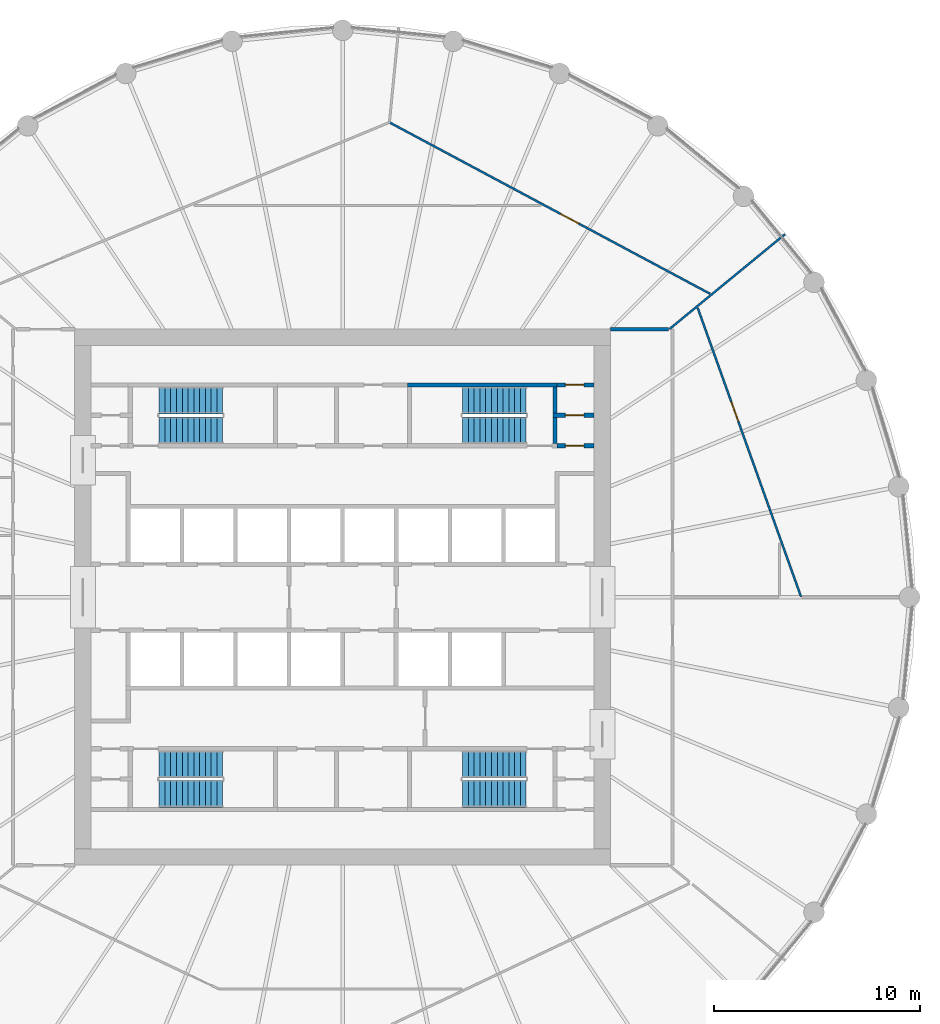
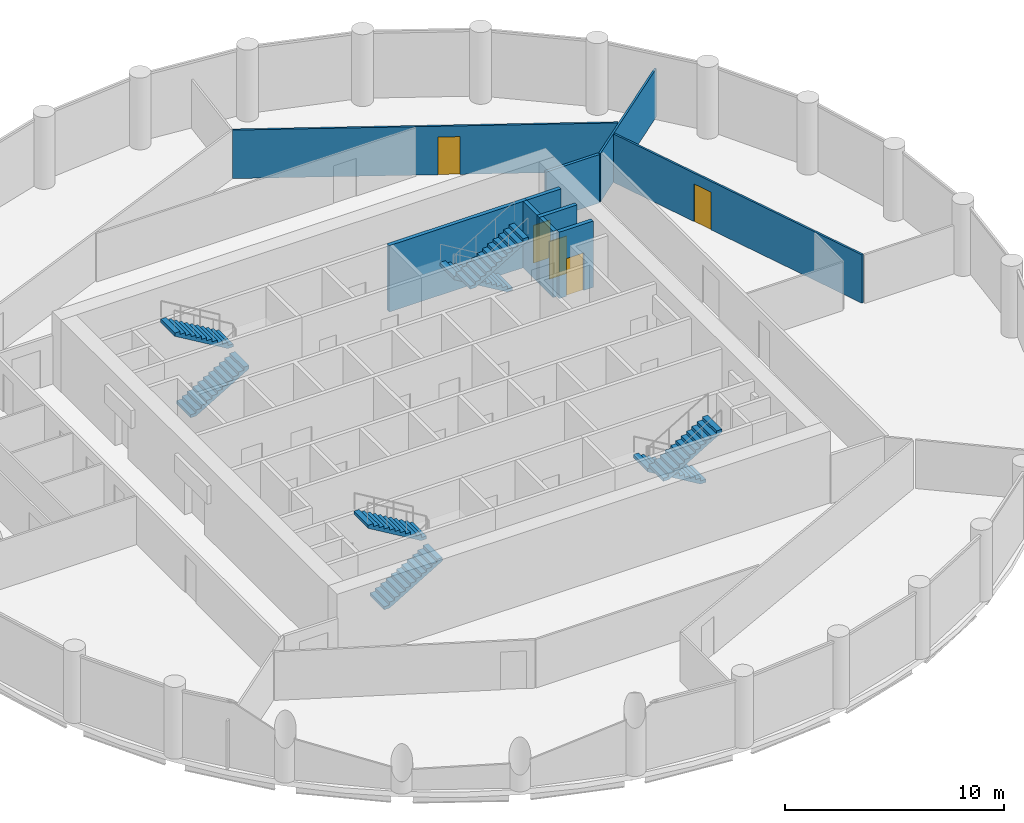
# One storey, part 7 of 8: 10 walls, 8 stair flights, 5 doors, 5 openings, 4 elements without a shape of their own.
"""IFC4 building model written with IfcOpenShell, lengths in metres."""

from ifc_helpers import new_model, si_unit, direction, frame, frame_2d, origin, place, context, subcontext, project, spatial, polyline, rectangle, outline, extrude, material, layer, layer_set, type_object, element, fill, aggregate, save


model = new_model("IFC4")

# Units and contexts
model_context = context("Model", 3, precision=1e-05, world=origin(), true_north=direction((0.0, 1.0)))
body_context = subcontext(model_context, "Body", "Model", "MODEL_VIEW")
ifc_project = project(units=[si_unit("LENGTHUNIT", "METRE"), si_unit("AREAUNIT", "SQUARE_METRE"), si_unit("VOLUMEUNIT", "CUBIC_METRE"), si_unit("PLANEANGLEUNIT", "RADIAN"), si_unit("MASSUNIT", "GRAM", prefix="KILO")], contexts=[model_context])

# Site, building, storey
site_placement = place(None, origin())
site = spatial("IfcSite", under=ifc_project, at=site_placement, CompositionType="ELEMENT")
building_placement = place(site_placement, origin())
building = spatial("IfcBuilding", under=site, at=building_placement, Name="Corvane Civic Tower", CompositionType="ELEMENT")
storey_placement = place(building_placement, frame((0.0, 0.0, 237.5)))
storey = spatial("IfcBuildingStorey", under=building, at=storey_placement, Name="L56", CompositionType="ELEMENT", Elevation=237.5)

# Wall, opening, door
ifc_material_1 = material(Name="Concrete C30/37", Category="concrete")
ifc_layer_1 = layer(ifc_material_1, 0.199951171875)
ifc_layer_set_1 = layer_set([ifc_layer_1], Name="Concrete C30/37")
wall_type_1 = type_object("IfcWallType", Name="CR-WALL-200", PredefinedType="PARTITIONING", material=ifc_layer_set_1)
wall_1_placement = place(storey_placement, frame((10.39990234375, 7.35009765625, 0.0), z_axis=(0.0, 0.0, 1.0), x_axis=(1.0, 0.0, 0.0)))
wall_1 = element("IfcWall", 1, at=wall_1_placement, inside=storey, type_object=wall_type_1, Name="L56 core partition wall", PredefinedType="PARTITIONING", context=body_context, shape_type="SweptSolid", body=[
    extrude(rectangle(XDim=1.800048828125, YDim=0.199951171875, at=frame_2d((0.89990234375, 0.0))), origin(), (0.0, 0.0, 1.0), 3.699951171875),
])
opening_1_placement = place(wall_1_placement, frame((0.39990234375, 0.0, 0.0)))
opening_1 = element("IfcOpeningElement", 2, at=opening_1_placement, cuts=wall_1, Name="Opening L56.C16", PredefinedType="OPENING", context=body_context, shape_type="SweptSolid", body=[
    extrude(rectangle(XDim=0.89990234375, YDim=2.10009765625, at=frame_2d((0.449951171875, 1.050048828125))), frame((0.0, 0.10986328125, 0.0), z_axis=(0.0, -1.0, 0.0), x_axis=(1.0, 0.0, 0.0)), (0.0, 0.0, 1.0), 0.219970703125),
])
ifc_material_2 = material(Name="Steel fire door leaf", Category="steel")
door_type_1 = type_object("IfcDoorType", Name="CR-DOOR-900", OperationType="SINGLE_SWING_LEFT", PredefinedType="DOOR", material=ifc_material_2)
door_1_placement = place(opening_1_placement, origin())
door_1 = element("IfcDoor", 3, at=door_1_placement, inside=storey, type_object=door_type_1, Name="L56 door", OperationType="SINGLE_SWING_LEFT", OverallHeight=2.10009765625, OverallWidth=0.89990234375, PredefinedType="DOOR", context=body_context, shape_type="SweptSolid", body=[
    extrude(rectangle(XDim=0.89990234375, YDim=2.10009765625, at=frame_2d((0.449951171875, 1.050048828125))), frame((0.0, 0.02490234375, 0.0), z_axis=(0.0, -1.0, 0.0), x_axis=(1.0, 0.0, 0.0)), (0.0, 0.0, 1.0), 0.050048828125),
])
fill(opening_1, door_1)

wall_2_placement = place(storey_placement, frame((10.199951171875, 8.824951171875, 0.0), z_axis=(0.0, 0.0, 1.0), x_axis=(1.0, 0.0, 0.0)))
wall_2 = element("IfcWall", 4, at=wall_2_placement, inside=storey, type_object=wall_type_1, Name="L56 partition wall", PredefinedType="PARTITIONING", context=body_context, shape_type="SweptSolid", body=[
    extrude(rectangle(XDim=2.0, YDim=0.199951171875, at=frame_2d((1.0, 0.0))), origin(), (0.0, 0.0, 1.0), 3.699951171875),
])
opening_2_placement = place(wall_2_placement, frame((0.60009765625, 0.0, 0.0)))
opening_2 = element("IfcOpeningElement", 5, at=opening_2_placement, cuts=wall_2, Name="Opening L56.C17", PredefinedType="OPENING", context=body_context, shape_type="SweptSolid", body=[
    extrude(rectangle(XDim=0.89990234375, YDim=2.10009765625, at=frame_2d((0.449951171875, 1.050048828125))), frame((0.0, 0.10986328125, 0.0), z_axis=(0.0, -1.0, 0.0), x_axis=(1.0, 0.0, 0.0)), (0.0, 0.0, 1.0), 0.219970703125),
])
door_2_placement = place(opening_2_placement, origin())
door_2 = element("IfcDoor", 6, at=door_2_placement, inside=storey, type_object=door_type_1, Name="L56 door", OperationType="SINGLE_SWING_LEFT", OverallHeight=2.10009765625, OverallWidth=0.89990234375, PredefinedType="DOOR", context=body_context, shape_type="SweptSolid", body=[
    extrude(rectangle(XDim=0.89990234375, YDim=2.10009765625, at=frame_2d((0.449951171875, 1.050048828125))), frame((0.0, 0.02490234375, 0.0), z_axis=(0.0, -1.0, 0.0), x_axis=(1.0, 0.0, 0.0)), (0.0, 0.0, 1.0), 0.050048828125),
])
fill(opening_2, door_2)

wall_3_placement = place(storey_placement, frame((10.39990234375, 10.300048828125, 0.0), z_axis=(0.0, 0.0, 1.0), x_axis=(1.0, 0.0, 0.0)))
wall_3 = element("IfcWall", 7, at=wall_3_placement, inside=storey, type_object=wall_type_1, Name="L56 partition wall", PredefinedType="PARTITIONING", context=body_context, shape_type="SweptSolid", body=[
    extrude(rectangle(XDim=1.800048828125, YDim=0.199951171875, at=frame_2d((0.89990234375, 0.0))), origin(), (0.0, 0.0, 1.0), 3.699951171875),
])
opening_3_placement = place(wall_3_placement, frame((0.39990234375, 0.0, 0.0)))
opening_3 = element("IfcOpeningElement", 8, at=opening_3_placement, cuts=wall_3, Name="Opening L56.C18", PredefinedType="OPENING", context=body_context, shape_type="SweptSolid", body=[
    extrude(rectangle(XDim=0.89990234375, YDim=2.10009765625, at=frame_2d((0.449951171875, 1.050048828125))), frame((0.0, 0.10986328125, 0.0), z_axis=(0.0, -1.0, 0.0), x_axis=(1.0, 0.0, 0.0)), (0.0, 0.0, 1.0), 0.219970703125),
])
door_3_placement = place(opening_3_placement, origin())
door_3 = element("IfcDoor", 9, at=door_3_placement, inside=storey, type_object=door_type_1, Name="L56 door", OperationType="SINGLE_SWING_LEFT", OverallHeight=2.10009765625, OverallWidth=0.89990234375, PredefinedType="DOOR", context=body_context, shape_type="SweptSolid", body=[
    extrude(rectangle(XDim=0.89990234375, YDim=2.10009765625, at=frame_2d((0.449951171875, 1.050048828125))), frame((0.0, 0.02490234375, 0.0), z_axis=(0.0, -1.0, 0.0), x_axis=(1.0, 0.0, 0.0)), (0.0, 0.0, 1.0), 0.050048828125),
])
fill(opening_3, door_3)

ifc_material_3 = material(Name="Plasterboard")
ifc_layer_2 = layer(ifc_material_3, 0.10009765625)
ifc_layer_set_2 = layer_set([ifc_layer_2], Name="Plasterboard")
wall_type_2 = type_object("IfcWallType", Name="Partition 100 plasterboard on studs", PredefinedType="PARTITIONING", material=ifc_layer_set_2)
wall_4_placement = place(storey_placement, frame((17.218505859375, 14.044189453125, 0.0), z_axis=(0.0, 0.0, 1.0), x_axis=(0.336888216566, -0.941544650847, 0.0)))
wall_4 = element("IfcWall", 10, at=wall_4_placement, inside=storey, type_object=wall_type_2, Name="Partition L56.016", PredefinedType="PARTITIONING", context=body_context, shape_type="SweptSolid", body=[
    extrude(rectangle(XDim=14.880859375, YDim=0.10009765625, at=frame_2d((7.4404296875, 0.0))), origin(), (0.0, 0.0, 1.0), 2.699951171875),
])
opening_4_placement = place(wall_4_placement, frame((4.838623046875, 0.0, 0.0)))
opening_4 = element("IfcOpeningElement", 11, at=opening_4_placement, cuts=wall_4, Name="Opening L56.008", PredefinedType="OPENING", context=body_context, shape_type="SweptSolid", body=[
    extrude(rectangle(XDim=1.0, YDim=2.10009765625, at=frame_2d((0.5, 1.050048828125))), frame((0.0, 0.06005859375, 0.0), z_axis=(0.0, -1.0, 0.0), x_axis=(1.0, 0.0, 0.0)), (0.0, 0.0, 1.0), 0.1201171875),
])
ifc_material_4 = material(Name="Timber", Category="wood")
door_type_2 = type_object("IfcDoorType", Name="Single door 1000", OperationType="NOTDEFINED", PredefinedType="DOOR", material=ifc_material_4)
door_4_placement = place(opening_4_placement, origin())
door_4 = element("IfcDoor", 12, at=door_4_placement, inside=storey, type_object=door_type_2, Name="Door L56.008", OperationType="SINGLE_SWING_LEFT", OverallHeight=2.10009765625, OverallWidth=1.0, PredefinedType="DOOR", context=body_context, shape_type="SweptSolid", body=[
    extrude(rectangle(XDim=1.0, YDim=2.10009765625, at=frame_2d((0.5, 1.050048828125))), frame((0.0, 0.02490234375, 0.0), z_axis=(0.0, -1.0, 0.0), x_axis=(1.0, 0.0, 0.0)), (0.0, 0.0, 1.0), 0.050048828125),
])
fill(opening_4, door_4)

# Wall
wall_5_placement = place(storey_placement, frame((15.8544921875, 13.01123046875, 0.0), z_axis=(0.0, 0.0, 1.0), x_axis=(0.772997895748, 0.634408585352, 0.0)))
element("IfcWall", 13, at=wall_5_placement, inside=storey, type_object=wall_type_2, Name="Partition L56.027", PredefinedType="PARTITIONING", context=body_context, shape_type="SweptSolid", body=[
    extrude(rectangle(XDim=7.240234375, YDim=0.10009765625, at=frame_2d((3.6201171875, 0.0))), origin(), (0.0, 0.0, 1.0), 2.699951171875),
])

# Wall, opening, door
wall_6_placement = place(storey_placement, frame((2.298095703125, 23.017333984375, 0.0), z_axis=(0.0, 0.0, 1.0), x_axis=(0.881923418912, -0.471392705899, 0.0)))
wall_6 = element("IfcWall", 14, at=wall_6_placement, inside=storey, type_object=wall_type_2, Name="Partition L56.029", PredefinedType="PARTITIONING", context=body_context, shape_type="SweptSolid", body=[
    extrude(rectangle(XDim=17.60595703125, YDim=0.10009765625, at=frame_2d((8.802978515625, 0.0))), origin(), (0.0, 0.0, 1.0), 2.699951171875),
])
opening_5_placement = place(wall_6_placement, frame((9.381591796875, 0.0, 0.0)))
opening_5 = element("IfcOpeningElement", 15, at=opening_5_placement, cuts=wall_6, Name="Opening L56.002", PredefinedType="OPENING", context=body_context, shape_type="SweptSolid", body=[
    extrude(rectangle(XDim=1.0, YDim=2.10009765625, at=frame_2d((0.5, 1.050048828125))), frame((0.0, 0.06005859375, 0.0), z_axis=(0.0, -1.0, 0.0), x_axis=(1.0, 0.0, 0.0)), (0.0, 0.0, 1.0), 0.1201171875),
])
door_5_placement = place(opening_5_placement, origin())
door_5 = element("IfcDoor", 16, at=door_5_placement, inside=storey, type_object=door_type_2, Name="Door L56.002", OperationType="SINGLE_SWING_LEFT", OverallHeight=2.10009765625, OverallWidth=1.0, PredefinedType="DOOR", context=body_context, shape_type="SweptSolid", body=[
    extrude(rectangle(XDim=1.0, YDim=2.10009765625, at=frame_2d((0.5, 1.050048828125))), frame((0.0, 0.02490234375, 0.0), z_axis=(0.0, -1.0, 0.0), x_axis=(1.0, 0.0, 0.0)), (0.0, 0.0, 1.0), 0.050048828125),
])
fill(opening_5, door_5)

# Walls
ifc_material_5 = material(Name="Concrete C50/60", Category="concrete")
ifc_layer_3 = layer(ifc_material_5, 0.199951171875)
ifc_layer_set_3 = layer_set([ifc_layer_3], Name="Concrete C50/60")
wall_type_3 = type_object("IfcWallType", Name="ST-WALL-200", PredefinedType="SHEAR", material=ifc_layer_set_3)
wall_7_placement = place(storey_placement, origin())
element("IfcWall", 17, at=wall_7_placement, inside=storey, type_object=wall_type_3, Name="L56 stair enclosure wall", PredefinedType="SHEAR", context=body_context, shape_type="SweptSolid", body=[
    extrude(outline(polyline([(10.39990234375, 10.199951171875), (3.14990234375, 10.199951171875), (3.14990234375, 10.39990234375), (10.39990234375, 10.39990234375), (10.39990234375, 10.199951171875)])), origin(), (0.0, 0.0, 1.0), 3.699951171875),
])
wall_8_placement = place(storey_placement, origin())
element("IfcWall", 18, at=wall_8_placement, inside=storey, type_object=wall_type_3, Name="L56 stair enclosure wall", PredefinedType="SHEAR", context=body_context, shape_type="SweptSolid", body=[
    extrude(outline(polyline([(10.39990234375, 8.72509765625), (10.39990234375, 7.449951171875), (10.199951171875, 7.449951171875), (10.199951171875, 8.72509765625), (10.39990234375, 8.72509765625)])), origin(), (0.0, 0.0, 1.0), 3.699951171875),
])
wall_9_placement = place(storey_placement, origin())
element("IfcWall", 19, at=wall_9_placement, inside=storey, type_object=wall_type_3, Name="L56 stair enclosure wall", PredefinedType="SHEAR", context=body_context, shape_type="SweptSolid", body=[
    extrude(outline(polyline([(10.39990234375, 8.925048828125), (10.199951171875, 8.925048828125), (10.199951171875, 10.199951171875), (10.39990234375, 10.199951171875), (10.39990234375, 8.925048828125)])), origin(), (0.0, 0.0, 1.0), 3.699951171875),
])
ifc_material_6 = material(Name="Plasterboard")
ifc_layer_4 = layer(ifc_material_6, 0.14990234375)
ifc_layer_set_4 = layer_set([ifc_layer_4], Name="Plasterboard")
wall_type_4 = type_object("IfcWallType", Name="Tenancy wall 150 EI 60", PredefinedType="PARTITIONING", material=ifc_layer_set_4)
wall_10_placement = place(storey_placement, frame((12.989990234375, 13.0, 0.0), z_axis=(0.0, 0.0, 1.0), x_axis=(1.0, 0.0, 0.0)))
element("IfcWall", 20, at=wall_10_placement, inside=storey, type_object=wall_type_4, Name="Partition L56.025", PredefinedType="PARTITIONING", context=body_context, shape_type="SweptSolid", body=[
    extrude(rectangle(XDim=2.82373046875, YDim=0.14990234375, at=frame_2d((1.411865234375, 0.0))), origin(), (0.0, 0.0, 1.0), 2.699951171875),
])

# Stair, stair flights
ifc_material_7 = material(Name="Concrete C40/50", Category="concrete")
stair_type = type_object("IfcStairType", Name="ST-STAIR-HALFTURN", PredefinedType="HALF_TURN_STAIR", material=ifc_material_7)
stair_1_placement = place(storey_placement, origin())
stair_1 = element("IfcStair", 21, at=stair_1_placement, inside=storey, type_object=stair_type, Name="L56 Exit stair ST1", PredefinedType="HALF_TURN_STAIR")
ifc_material_8 = material(Name="Concrete C40/50", Category="concrete")
stair_flight_type = type_object("IfcStairFlightType", Name="ST-FLIGHT-RC", PredefinedType="STRAIGHT", material=ifc_material_8)
stair_flight_1_placement = place(storey_placement, frame((8.89990234375, 9.550048828125, 0.0), z_axis=(0.0, 0.0, 1.0), x_axis=(-1.0, 0.0, 0.0)))
stair_flight_1 = element("IfcStairFlight", 22, at=stair_flight_1_placement, type_object=stair_flight_type, Name="ST1 flight 1", NumberOfRisers=12, NumberOfTreads=11, PredefinedType="STRAIGHT", RiserHeight=0.166666667, TreadLength=0.28, context=body_context, shape_type="SweptSolid", body=[
    extrude(outline(polyline([(0.0, 0.0), (0.0, 0.166748046875), (0.280029296875, 0.166748046875), (0.280029296875, 0.333251953125), (0.56005859375, 0.333251953125), (0.56005859375, 0.5), (0.840087890625, 0.5), (0.840087890625, 0.666748046875), (1.1201171875, 0.666748046875), (1.1201171875, 0.833251953125), (1.39990234375, 0.833251953125), (1.39990234375, 1.0), (1.679931640625, 1.0), (1.679931640625, 1.166748046875), (1.9599609375, 1.166748046875), (1.9599609375, 1.333251953125), (2.239990234375, 1.333251953125), (2.239990234375, 1.5), (2.52001953125, 1.5), (2.52001953125, 1.666748046875), (2.800048828125, 1.666748046875), (2.800048828125, 1.833251953125), (3.080078125, 1.833251953125), (3.080078125, 2.0), (3.080078125, 1.658935546875), (0.29296875, 0.0), (0.0, 0.0)])), frame((0.0, 0.64990234375, 0.0), z_axis=(0.0, -1.0, 0.0), x_axis=(1.0, 0.0, 0.0)), (0.0, 0.0, 1.0), 1.300048828125),
])
stair_flight_2_placement = place(storey_placement, frame((5.820068359375, 8.10009765625, 2.0), z_axis=(0.0, 0.0, 1.0), x_axis=(1.0, 0.0, 0.0)))
stair_flight_2 = element("IfcStairFlight", 23, at=stair_flight_2_placement, type_object=stair_flight_type, Name="ST1 flight 2", NumberOfRisers=12, NumberOfTreads=11, PredefinedType="STRAIGHT", RiserHeight=0.166666667, TreadLength=0.28, context=body_context, shape_type="SweptSolid", body=[
    extrude(outline(polyline([(0.0, 0.0), (0.0, 0.166748046875), (0.280029296875, 0.166748046875), (0.280029296875, 0.333251953125), (0.56005859375, 0.333251953125), (0.56005859375, 0.5), (0.840087890625, 0.5), (0.840087890625, 0.666748046875), (1.1201171875, 0.666748046875), (1.1201171875, 0.833251953125), (1.39990234375, 0.833251953125), (1.39990234375, 1.0), (1.679931640625, 1.0), (1.679931640625, 1.166748046875), (1.9599609375, 1.166748046875), (1.9599609375, 1.333251953125), (2.239990234375, 1.333251953125), (2.239990234375, 1.5), (2.52001953125, 1.5), (2.52001953125, 1.666748046875), (2.800048828125, 1.666748046875), (2.800048828125, 1.833251953125), (3.080078125, 1.833251953125), (3.080078125, 2.0), (3.080078125, 1.658935546875), (0.29296875, 0.0), (0.0, 0.0)])), frame((0.0, 0.64990234375, 0.0), z_axis=(0.0, -1.0, 0.0), x_axis=(1.0, 0.0, 0.0)), (0.0, 0.0, 1.0), 1.300048828125),
])
aggregate(stair_1, [stair_flight_1, stair_flight_2])

stair_2_placement = place(storey_placement, origin())
stair_2 = element("IfcStair", 24, at=stair_2_placement, inside=storey, type_object=stair_type, Name="L56 Exit stair ST2", PredefinedType="HALF_TURN_STAIR")
stair_flight_3_placement = place(storey_placement, frame((8.89990234375, -8.10009765625, 0.0), z_axis=(0.0, 0.0, 1.0), x_axis=(-1.0, 0.0, 0.0)))
stair_flight_3 = element("IfcStairFlight", 25, at=stair_flight_3_placement, type_object=stair_flight_type, Name="ST2 flight 1", NumberOfRisers=12, NumberOfTreads=11, PredefinedType="STRAIGHT", RiserHeight=0.166666667, TreadLength=0.28, context=body_context, shape_type="SweptSolid", body=[
    extrude(outline(polyline([(0.0, 0.0), (0.0, 0.166748046875), (0.280029296875, 0.166748046875), (0.280029296875, 0.333251953125), (0.56005859375, 0.333251953125), (0.56005859375, 0.5), (0.840087890625, 0.5), (0.840087890625, 0.666748046875), (1.1201171875, 0.666748046875), (1.1201171875, 0.833251953125), (1.39990234375, 0.833251953125), (1.39990234375, 1.0), (1.679931640625, 1.0), (1.679931640625, 1.166748046875), (1.9599609375, 1.166748046875), (1.9599609375, 1.333251953125), (2.239990234375, 1.333251953125), (2.239990234375, 1.5), (2.52001953125, 1.5), (2.52001953125, 1.666748046875), (2.800048828125, 1.666748046875), (2.800048828125, 1.833251953125), (3.080078125, 1.833251953125), (3.080078125, 2.0), (3.080078125, 1.658935546875), (0.29296875, 0.0), (0.0, 0.0)])), frame((0.0, 0.64990234375, 0.0), z_axis=(0.0, -1.0, 0.0), x_axis=(1.0, 0.0, 0.0)), (0.0, 0.0, 1.0), 1.300048828125),
])
stair_flight_4_placement = place(storey_placement, frame((5.820068359375, -9.550048828125, 2.0), z_axis=(0.0, 0.0, 1.0), x_axis=(1.0, 0.0, 0.0)))
stair_flight_4 = element("IfcStairFlight", 26, at=stair_flight_4_placement, type_object=stair_flight_type, Name="ST2 flight 2", NumberOfRisers=12, NumberOfTreads=11, PredefinedType="STRAIGHT", RiserHeight=0.166666667, TreadLength=0.28, context=body_context, shape_type="SweptSolid", body=[
    extrude(outline(polyline([(0.0, 0.0), (0.0, 0.166748046875), (0.280029296875, 0.166748046875), (0.280029296875, 0.333251953125), (0.56005859375, 0.333251953125), (0.56005859375, 0.5), (0.840087890625, 0.5), (0.840087890625, 0.666748046875), (1.1201171875, 0.666748046875), (1.1201171875, 0.833251953125), (1.39990234375, 0.833251953125), (1.39990234375, 1.0), (1.679931640625, 1.0), (1.679931640625, 1.166748046875), (1.9599609375, 1.166748046875), (1.9599609375, 1.333251953125), (2.239990234375, 1.333251953125), (2.239990234375, 1.5), (2.52001953125, 1.5), (2.52001953125, 1.666748046875), (2.800048828125, 1.666748046875), (2.800048828125, 1.833251953125), (3.080078125, 1.833251953125), (3.080078125, 2.0), (3.080078125, 1.658935546875), (0.29296875, 0.0), (0.0, 0.0)])), frame((0.0, 0.64990234375, 0.0), z_axis=(0.0, -1.0, 0.0), x_axis=(1.0, 0.0, 0.0)), (0.0, 0.0, 1.0), 1.300048828125),
])
aggregate(stair_2, [stair_flight_3, stair_flight_4])

stair_3_placement = place(storey_placement, origin())
stair_3 = element("IfcStair", 27, at=stair_3_placement, inside=storey, type_object=stair_type, Name="L56 Exit stair ST3", PredefinedType="HALF_TURN_STAIR")
stair_flight_5_placement = place(storey_placement, frame((-8.89990234375, -9.550048828125, 0.0), z_axis=(0.0, 0.0, 1.0), x_axis=(1.0, 0.0, 0.0)))
stair_flight_5 = element("IfcStairFlight", 28, at=stair_flight_5_placement, type_object=stair_flight_type, Name="ST3 flight 1", NumberOfRisers=12, NumberOfTreads=11, PredefinedType="STRAIGHT", RiserHeight=0.166666667, TreadLength=0.28, context=body_context, shape_type="SweptSolid", body=[
    extrude(outline(polyline([(0.0, 0.0), (0.0, 0.166748046875), (0.280029296875, 0.166748046875), (0.280029296875, 0.333251953125), (0.56005859375, 0.333251953125), (0.56005859375, 0.5), (0.840087890625, 0.5), (0.840087890625, 0.666748046875), (1.1201171875, 0.666748046875), (1.1201171875, 0.833251953125), (1.39990234375, 0.833251953125), (1.39990234375, 1.0), (1.679931640625, 1.0), (1.679931640625, 1.166748046875), (1.9599609375, 1.166748046875), (1.9599609375, 1.333251953125), (2.239990234375, 1.333251953125), (2.239990234375, 1.5), (2.52001953125, 1.5), (2.52001953125, 1.666748046875), (2.800048828125, 1.666748046875), (2.800048828125, 1.833251953125), (3.080078125, 1.833251953125), (3.080078125, 2.0), (3.080078125, 1.658935546875), (0.29296875, 0.0), (0.0, 0.0)])), frame((0.0, 0.64990234375, 0.0), z_axis=(0.0, -1.0, 0.0), x_axis=(1.0, 0.0, 0.0)), (0.0, 0.0, 1.0), 1.300048828125),
])
stair_flight_6_placement = place(storey_placement, frame((-5.820068359375, -8.10009765625, 2.0), z_axis=(0.0, 0.0, 1.0), x_axis=(-1.0, 0.0, 0.0)))
stair_flight_6 = element("IfcStairFlight", 29, at=stair_flight_6_placement, type_object=stair_flight_type, Name="ST3 flight 2", NumberOfRisers=12, NumberOfTreads=11, PredefinedType="STRAIGHT", RiserHeight=0.166666667, TreadLength=0.28, context=body_context, shape_type="SweptSolid", body=[
    extrude(outline(polyline([(0.0, 0.0), (0.0, 0.166748046875), (0.280029296875, 0.166748046875), (0.280029296875, 0.333251953125), (0.56005859375, 0.333251953125), (0.56005859375, 0.5), (0.840087890625, 0.5), (0.840087890625, 0.666748046875), (1.1201171875, 0.666748046875), (1.1201171875, 0.833251953125), (1.39990234375, 0.833251953125), (1.39990234375, 1.0), (1.679931640625, 1.0), (1.679931640625, 1.166748046875), (1.9599609375, 1.166748046875), (1.9599609375, 1.333251953125), (2.239990234375, 1.333251953125), (2.239990234375, 1.5), (2.52001953125, 1.5), (2.52001953125, 1.666748046875), (2.800048828125, 1.666748046875), (2.800048828125, 1.833251953125), (3.080078125, 1.833251953125), (3.080078125, 2.0), (3.080078125, 1.658935546875), (0.29296875, 0.0), (0.0, 0.0)])), frame((0.0, 0.64990234375, 0.0), z_axis=(0.0, -1.0, 0.0), x_axis=(1.0, 0.0, 0.0)), (0.0, 0.0, 1.0), 1.300048828125),
])
aggregate(stair_3, [stair_flight_5, stair_flight_6])

stair_4_placement = place(storey_placement, origin())
stair_4 = element("IfcStair", 30, at=stair_4_placement, inside=storey, type_object=stair_type, Name="L56 Exit stair ST4", PredefinedType="HALF_TURN_STAIR")
stair_flight_7_placement = place(storey_placement, frame((-8.89990234375, 8.10009765625, 0.0), z_axis=(0.0, 0.0, 1.0), x_axis=(1.0, 0.0, 0.0)))
stair_flight_7 = element("IfcStairFlight", 31, at=stair_flight_7_placement, type_object=stair_flight_type, Name="ST4 flight 1", NumberOfRisers=12, NumberOfTreads=11, PredefinedType="STRAIGHT", RiserHeight=0.166666667, TreadLength=0.28, context=body_context, shape_type="SweptSolid", body=[
    extrude(outline(polyline([(0.0, 0.0), (0.0, 0.166748046875), (0.280029296875, 0.166748046875), (0.280029296875, 0.333251953125), (0.56005859375, 0.333251953125), (0.56005859375, 0.5), (0.840087890625, 0.5), (0.840087890625, 0.666748046875), (1.1201171875, 0.666748046875), (1.1201171875, 0.833251953125), (1.39990234375, 0.833251953125), (1.39990234375, 1.0), (1.679931640625, 1.0), (1.679931640625, 1.166748046875), (1.9599609375, 1.166748046875), (1.9599609375, 1.333251953125), (2.239990234375, 1.333251953125), (2.239990234375, 1.5), (2.52001953125, 1.5), (2.52001953125, 1.666748046875), (2.800048828125, 1.666748046875), (2.800048828125, 1.833251953125), (3.080078125, 1.833251953125), (3.080078125, 2.0), (3.080078125, 1.658935546875), (0.29296875, 0.0), (0.0, 0.0)])), frame((0.0, 0.64990234375, 0.0), z_axis=(0.0, -1.0, 0.0), x_axis=(1.0, 0.0, 0.0)), (0.0, 0.0, 1.0), 1.300048828125),
])
stair_flight_8_placement = place(storey_placement, frame((-5.820068359375, 9.550048828125, 2.0), z_axis=(0.0, 0.0, 1.0), x_axis=(-1.0, 0.0, 0.0)))
stair_flight_8 = element("IfcStairFlight", 32, at=stair_flight_8_placement, type_object=stair_flight_type, Name="ST4 flight 2", NumberOfRisers=12, NumberOfTreads=11, PredefinedType="STRAIGHT", RiserHeight=0.166666667, TreadLength=0.28, context=body_context, shape_type="SweptSolid", body=[
    extrude(outline(polyline([(0.0, 0.0), (0.0, 0.166748046875), (0.280029296875, 0.166748046875), (0.280029296875, 0.333251953125), (0.56005859375, 0.333251953125), (0.56005859375, 0.5), (0.840087890625, 0.5), (0.840087890625, 0.666748046875), (1.1201171875, 0.666748046875), (1.1201171875, 0.833251953125), (1.39990234375, 0.833251953125), (1.39990234375, 1.0), (1.679931640625, 1.0), (1.679931640625, 1.166748046875), (1.9599609375, 1.166748046875), (1.9599609375, 1.333251953125), (2.239990234375, 1.333251953125), (2.239990234375, 1.5), (2.52001953125, 1.5), (2.52001953125, 1.666748046875), (2.800048828125, 1.666748046875), (2.800048828125, 1.833251953125), (3.080078125, 1.833251953125), (3.080078125, 2.0), (3.080078125, 1.658935546875), (0.29296875, 0.0), (0.0, 0.0)])), frame((0.0, 0.64990234375, 0.0), z_axis=(0.0, -1.0, 0.0), x_axis=(1.0, 0.0, 0.0)), (0.0, 0.0, 1.0), 1.300048828125),
])
aggregate(stair_4, [stair_flight_7, stair_flight_8])

save(model, "model.ifc")
